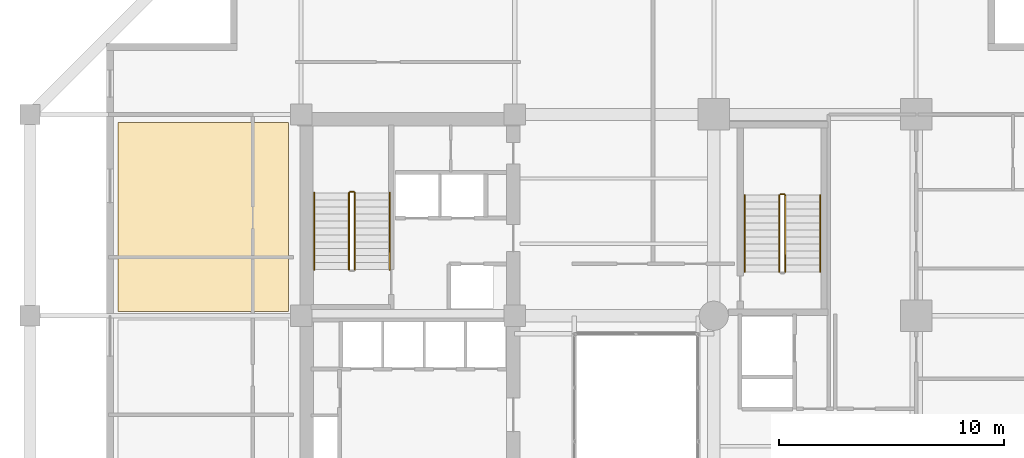
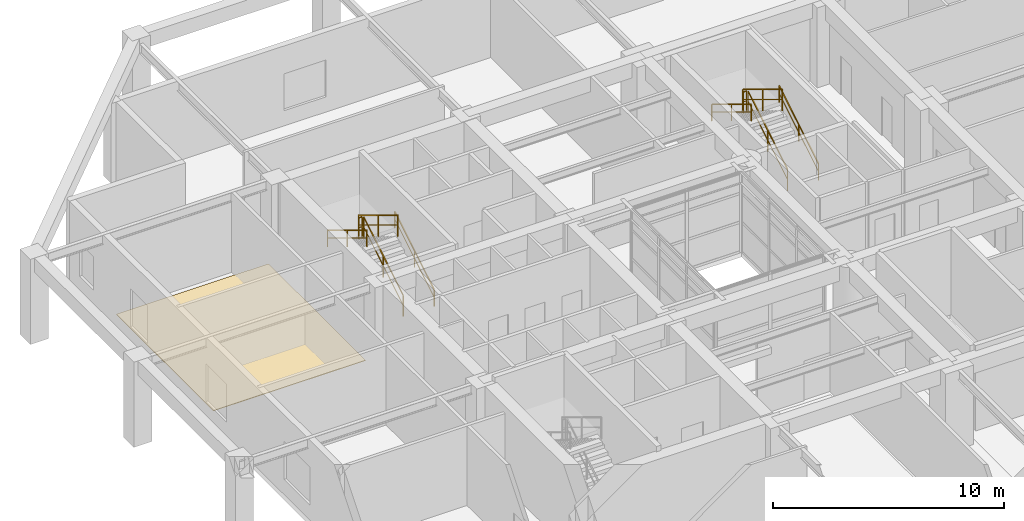
# One storey, part 13 of 13: 10 railings, 1 covering.
"""IFC4 building model written with IfcOpenShell, lengths in metres."""

from ifc_helpers import new_model, si_unit, direction, frame, origin, origin_2d, place, context, subcontext, project, spatial, polyline, rectangle, outline, extrude, material, layer, layer_set, type_object, element, save


model = new_model("IFC4")

# Units and contexts
model_context = context("Model", 3, precision=1e-05, world=origin(), true_north=direction((0.0, 1.0)))
body_context = subcontext(model_context, "Body", "Model", "MODEL_VIEW")
ifc_project = project(units=[si_unit("LENGTHUNIT", "METRE"), si_unit("AREAUNIT", "SQUARE_METRE"), si_unit("VOLUMEUNIT", "CUBIC_METRE"), si_unit("PLANEANGLEUNIT", "RADIAN"), si_unit("MASSUNIT", "GRAM", prefix="KILO")], contexts=[model_context])

# Site, building, storey
site_placement = place(None, origin())
site = spatial("IfcSite", under=ifc_project, at=site_placement, CompositionType="ELEMENT")
building_placement = place(site_placement, origin())
building = spatial("IfcBuilding", under=site, at=building_placement, Name="Kundavana Baori Tower", CompositionType="ELEMENT")
storey_placement = place(building_placement, frame((0.0, 0.0, 21.5)))
storey = spatial("IfcBuildingStorey", under=building, at=storey_placement, Name="L04", CompositionType="ELEMENT", Elevation=21.5)

# Covering
ifc_material_1 = material(Name="Honed Kota Stone and Terrazzo Flooring", Category="masonry")
ifc_layer = layer(ifc_material_1, 0.030029296875, Name="COV-INT-FLR")
ifc_layer_set = layer_set([ifc_layer], Name="Honed Kota Stone and Terrazzo Flooring")
covering_type = type_object("IfcCoveringType", Name="COV-INT-FLR", PredefinedType="FLOORING", material=ifc_layer_set)
covering_placement = place(storey_placement, origin())
element("IfcCovering", 1, at=covering_placement, inside=storey, type_object=covering_type, Name="L04 Room Finished Stone Flooring 3", PredefinedType="FLOORING", context=body_context, shape_type="SweptSolid", body=[
    extrude(outline(polyline([(7.300048828125, 33.199951171875), (14.89990234375, 33.199951171875), (14.89990234375, 41.60009765625), (7.300048828125, 41.60009765625), (7.300048828125, 33.199951171875)])), origin(), (0.0, 0.0, 1.0), 0.030029296875),
])

# Railings
ifc_material_2 = material(Name="Architectural Patinated Bronze Metalwork")
railing_type_1 = type_object("IfcRailingType", Name="RL-GRD-1150", PredefinedType="GUARDRAIL", material=ifc_material_2)
railing_1_placement = place(storey_placement, frame((17.840087890625, 35.050048828125, 0.1875)))
element("IfcRailing", 2, at=railing_1_placement, inside=storey, type_object=railing_type_1, Name="L04 ST2 stair guard 1", PredefinedType="GUARDRAIL", context=body_context, shape_type="SweptSolid", body=[
    extrude(rectangle(XDim=0.048095703125, YDim=0.048095703125, at=origin_2d()), frame((0.0, 0.0, 1.1259765625), z_axis=(0.0, 0.855655013707, 0.517546613861), x_axis=(-1.0, 0.0, 0.0)), (0.0, 0.0, 1.0), 3.985107421875),
    extrude(rectangle(XDim=0.03125, YDim=0.03125, at=origin_2d()), frame((0.0, 0.0, 0.597900390625), z_axis=(0.0, 0.855655013707, 0.517546613861), x_axis=(-1.0, 0.0, 0.0)), (0.0, 0.0, 1.0), 3.985107421875),
    extrude(rectangle(XDim=0.0419921875, YDim=0.0419921875, at=origin_2d()), origin(), (0.0, 0.0, 1.0), 1.101806640625),
    extrude(rectangle(XDim=0.0419921875, YDim=0.0419921875, at=origin_2d()), frame((0.0, 1.705078125, 1.03125)), (0.0, 0.0, 1.0), 1.101806640625),
    extrude(rectangle(XDim=0.0419921875, YDim=0.0419921875, at=origin_2d()), frame((0.0, 3.409912109375, 2.0625)), (0.0, 0.0, 1.0), 1.101806640625),
])
railing_2_placement = place(storey_placement, frame((17.7900390625, 38.510009765625, 2.25)))
element("IfcRailing", 3, at=railing_2_placement, inside=storey, type_object=railing_type_1, Name="L04 ST2 stair guard 2", PredefinedType="GUARDRAIL", context=body_context, shape_type="SweptSolid", body=[
    extrude(rectangle(XDim=0.048095703125, YDim=0.048095703125, at=origin_2d()), frame((0.0, 0.0, 1.1259765625), z_axis=(-1.0, 0.0, 0.0), x_axis=(0.0, -1.0, 0.0)), (0.0, 0.0, 1.0), 0.16015625),
    extrude(rectangle(XDim=0.03125, YDim=0.03125, at=origin_2d()), frame((0.0, 0.0, 0.597900390625), z_axis=(-1.0, 0.0, 0.0), x_axis=(0.0, -1.0, 0.0)), (0.0, 0.0, 1.0), 0.16015625),
    extrude(rectangle(XDim=0.0419921875, YDim=0.0419921875, at=origin_2d()), origin(), (0.0, 0.0, 1.0), 1.101806640625),
    extrude(rectangle(XDim=0.0419921875, YDim=0.0419921875, at=origin_2d()), frame((-0.16015625, 0.0, 0.0)), (0.0, 0.0, 1.0), 1.101806640625),
])
railing_3_placement = place(storey_placement, frame((17.580078125, 38.4599609375, 2.4375)))
element("IfcRailing", 4, at=railing_3_placement, inside=storey, type_object=railing_type_1, Name="L04 ST2 stair guard 3", PredefinedType="GUARDRAIL", context=body_context, shape_type="SweptSolid", body=[
    extrude(rectangle(XDim=0.048095703125, YDim=0.048095703125, at=origin_2d()), frame((0.0, 0.0, 1.1259765625), z_axis=(0.0, -0.855655013707, 0.517546613861), x_axis=(1.0, 0.0, 0.0)), (0.0, 0.0, 1.0), 3.985107421875),
    extrude(rectangle(XDim=0.03125, YDim=0.03125, at=origin_2d()), frame((0.0, 0.0, 0.597900390625), z_axis=(0.0, -0.855655013707, 0.517546613861), x_axis=(1.0, 0.0, 0.0)), (0.0, 0.0, 1.0), 3.985107421875),
    extrude(rectangle(XDim=0.0419921875, YDim=0.0419921875, at=origin_2d()), origin(), (0.0, 0.0, 1.0), 1.101806640625),
    extrude(rectangle(XDim=0.0419921875, YDim=0.0419921875, at=origin_2d()), frame((0.0, -1.705078125, 1.03125)), (0.0, 0.0, 1.0), 1.101806640625),
    extrude(rectangle(XDim=0.0419921875, YDim=0.0419921875, at=origin_2d()), frame((0.0, -3.409912109375, 2.0625)), (0.0, 0.0, 1.0), 1.101806640625),
])
railing_4_placement = place(storey_placement, frame((36.97998046875, 34.949951171875, 0.1875)))
element("IfcRailing", 5, at=railing_4_placement, inside=storey, type_object=railing_type_1, Name="L04 ST3 stair guard 1", PredefinedType="GUARDRAIL", context=body_context, shape_type="SweptSolid", body=[
    extrude(rectangle(XDim=0.048095703125, YDim=0.048095703125, at=origin_2d()), frame((0.0, 0.0, 1.1259765625), z_axis=(0.0, 0.855671421885, 0.517519485401), x_axis=(-1.0, 0.0, 0.0)), (0.0, 0.0, 1.0), 3.9853515625),
    extrude(rectangle(XDim=0.03125, YDim=0.03125, at=origin_2d()), frame((0.0, 0.0, 0.597900390625), z_axis=(0.0, 0.855671421885, 0.517519485401), x_axis=(-1.0, 0.0, 0.0)), (0.0, 0.0, 1.0), 3.9853515625),
    extrude(rectangle(XDim=0.0419921875, YDim=0.0419921875, at=origin_2d()), origin(), (0.0, 0.0, 1.0), 1.101806640625),
    extrude(rectangle(XDim=0.0419921875, YDim=0.0419921875, at=origin_2d()), frame((0.0, 1.705078125, 1.03125)), (0.0, 0.0, 1.0), 1.101806640625),
    extrude(rectangle(XDim=0.0419921875, YDim=0.0419921875, at=origin_2d()), frame((0.0, 3.41015625, 2.0625)), (0.0, 0.0, 1.0), 1.101806640625),
])
railing_5_placement = place(storey_placement, frame((36.929931640625, 38.409912109375, 2.25)))
element("IfcRailing", 6, at=railing_5_placement, inside=storey, type_object=railing_type_1, Name="L04 ST3 stair guard 2", PredefinedType="GUARDRAIL", context=body_context, shape_type="SweptSolid", body=[
    extrude(rectangle(XDim=0.048095703125, YDim=0.048095703125, at=origin_2d()), frame((0.0, 0.0, 1.1259765625), z_axis=(-1.0, 0.0, 0.0), x_axis=(0.0, -1.0, 0.0)), (0.0, 0.0, 1.0), 0.159912109375),
    extrude(rectangle(XDim=0.03125, YDim=0.03125, at=origin_2d()), frame((0.0, 0.0, 0.597900390625), z_axis=(-1.0, 0.0, 0.0), x_axis=(0.0, -1.0, 0.0)), (0.0, 0.0, 1.0), 0.159912109375),
    extrude(rectangle(XDim=0.0419921875, YDim=0.0419921875, at=origin_2d()), origin(), (0.0, 0.0, 1.0), 1.101806640625),
    extrude(rectangle(XDim=0.0419921875, YDim=0.0419921875, at=origin_2d()), frame((-0.159912109375, 0.0, 0.0)), (0.0, 0.0, 1.0), 1.101806640625),
])
railing_6_placement = place(storey_placement, frame((36.719970703125, 38.360107421875, 2.4375)))
element("IfcRailing", 7, at=railing_6_placement, inside=storey, type_object=railing_type_1, Name="L04 ST3 stair guard 3", PredefinedType="GUARDRAIL", context=body_context, shape_type="SweptSolid", body=[
    extrude(rectangle(XDim=0.048095703125, YDim=0.048095703125, at=origin_2d()), frame((0.0, 0.0, 1.1259765625), z_axis=(0.0, -0.855671421885, 0.517519485401), x_axis=(1.0, 0.0, 0.0)), (0.0, 0.0, 1.0), 3.9853515625),
    extrude(rectangle(XDim=0.03125, YDim=0.03125, at=origin_2d()), frame((0.0, 0.0, 0.597900390625), z_axis=(0.0, -0.855671421885, 0.517519485401), x_axis=(1.0, 0.0, 0.0)), (0.0, 0.0, 1.0), 3.9853515625),
    extrude(rectangle(XDim=0.0419921875, YDim=0.0419921875, at=origin_2d()), origin(), (0.0, 0.0, 1.0), 1.101806640625),
    extrude(rectangle(XDim=0.0419921875, YDim=0.0419921875, at=origin_2d()), frame((0.0, -1.705078125, 1.03125)), (0.0, 0.0, 1.0), 1.101806640625),
    extrude(rectangle(XDim=0.0419921875, YDim=0.0419921875, at=origin_2d()), frame((0.0, -3.41015625, 2.0625)), (0.0, 0.0, 1.0), 1.101806640625),
])
ifc_material_3 = material(Name="Architectural Patinated Bronze Metalwork")
railing_type_2 = type_object("IfcRailingType", Name="RL-HND-920", PredefinedType="HANDRAIL", material=ifc_material_3)
railing_7_placement = place(storey_placement, frame((19.389892578125, 35.050048828125, 0.1875)))
element("IfcRailing", 8, at=railing_7_placement, inside=storey, type_object=railing_type_2, Name="L04 ST2 stair handrail 1", PredefinedType="HANDRAIL", context=body_context, shape_type="SweptSolid", body=[
    extrude(rectangle(XDim=0.048095703125, YDim=0.048095703125, at=origin_2d()), frame((0.0, 0.0, 0.8759765625), z_axis=(0.0, 0.855655013707, 0.517546613861), x_axis=(-1.0, 0.0, 0.0)), (0.0, 0.0, 1.0), 3.985107421875),
    extrude(rectangle(XDim=0.03125, YDim=0.03125, at=origin_2d()), frame((0.0, 0.0, 0.468017578125), z_axis=(0.0, 0.855655013707, 0.517546613861), x_axis=(-1.0, 0.0, 0.0)), (0.0, 0.0, 1.0), 3.985107421875),
    extrude(rectangle(XDim=0.0419921875, YDim=0.0419921875, at=origin_2d()), origin(), (0.0, 0.0, 1.0), 0.851806640625),
    extrude(rectangle(XDim=0.0419921875, YDim=0.0419921875, at=origin_2d()), frame((0.0, 1.705078125, 1.03125)), (0.0, 0.0, 1.0), 0.851806640625),
    extrude(rectangle(XDim=0.0419921875, YDim=0.0419921875, at=origin_2d()), frame((0.0, 3.409912109375, 2.0625)), (0.0, 0.0, 1.0), 0.851806640625),
])
railing_8_placement = place(storey_placement, frame((16.030029296875, 38.4599609375, 2.4375)))
element("IfcRailing", 9, at=railing_8_placement, inside=storey, type_object=railing_type_2, Name="L04 ST2 stair handrail 2", PredefinedType="HANDRAIL", context=body_context, shape_type="SweptSolid", body=[
    extrude(rectangle(XDim=0.048095703125, YDim=0.048095703125, at=origin_2d()), frame((0.0, 0.0, 0.8759765625), z_axis=(0.0, -0.855655013707, 0.517546613861), x_axis=(1.0, 0.0, 0.0)), (0.0, 0.0, 1.0), 3.985107421875),
    extrude(rectangle(XDim=0.03125, YDim=0.03125, at=origin_2d()), frame((0.0, 0.0, 0.468017578125), z_axis=(0.0, -0.855655013707, 0.517546613861), x_axis=(1.0, 0.0, 0.0)), (0.0, 0.0, 1.0), 3.985107421875),
    extrude(rectangle(XDim=0.0419921875, YDim=0.0419921875, at=origin_2d()), origin(), (0.0, 0.0, 1.0), 0.851806640625),
    extrude(rectangle(XDim=0.0419921875, YDim=0.0419921875, at=origin_2d()), frame((0.0, -1.705078125, 1.03125)), (0.0, 0.0, 1.0), 0.851806640625),
    extrude(rectangle(XDim=0.0419921875, YDim=0.0419921875, at=origin_2d()), frame((0.0, -3.409912109375, 2.0625)), (0.0, 0.0, 1.0), 0.851806640625),
])
railing_9_placement = place(storey_placement, frame((38.530029296875, 34.949951171875, 0.1875)))
element("IfcRailing", 10, at=railing_9_placement, inside=storey, type_object=railing_type_2, Name="L04 ST3 stair handrail 1", PredefinedType="HANDRAIL", context=body_context, shape_type="SweptSolid", body=[
    extrude(rectangle(XDim=0.048095703125, YDim=0.048095703125, at=origin_2d()), frame((0.0, 0.0, 0.8759765625), z_axis=(0.0, 0.855671421885, 0.517519485401), x_axis=(-1.0, 0.0, 0.0)), (0.0, 0.0, 1.0), 3.9853515625),
    extrude(rectangle(XDim=0.03125, YDim=0.03125, at=origin_2d()), frame((0.0, 0.0, 0.468017578125), z_axis=(0.0, 0.855671421885, 0.517519485401), x_axis=(-1.0, 0.0, 0.0)), (0.0, 0.0, 1.0), 3.9853515625),
    extrude(rectangle(XDim=0.0419921875, YDim=0.0419921875, at=origin_2d()), origin(), (0.0, 0.0, 1.0), 0.851806640625),
    extrude(rectangle(XDim=0.0419921875, YDim=0.0419921875, at=origin_2d()), frame((0.0, 1.705078125, 1.03125)), (0.0, 0.0, 1.0), 0.851806640625),
    extrude(rectangle(XDim=0.0419921875, YDim=0.0419921875, at=origin_2d()), frame((0.0, 3.41015625, 2.0625)), (0.0, 0.0, 1.0), 0.851806640625),
])
railing_10_placement = place(storey_placement, frame((35.169921875, 38.360107421875, 2.4375)))
element("IfcRailing", 11, at=railing_10_placement, inside=storey, type_object=railing_type_2, Name="L04 ST3 stair handrail 2", PredefinedType="HANDRAIL", context=body_context, shape_type="SweptSolid", body=[
    extrude(rectangle(XDim=0.048095703125, YDim=0.048095703125, at=origin_2d()), frame((0.0, 0.0, 0.8759765625), z_axis=(0.0, -0.855671421885, 0.517519485401), x_axis=(1.0, 0.0, 0.0)), (0.0, 0.0, 1.0), 3.9853515625),
    extrude(rectangle(XDim=0.03125, YDim=0.03125, at=origin_2d()), frame((0.0, 0.0, 0.468017578125), z_axis=(0.0, -0.855671421885, 0.517519485401), x_axis=(1.0, 0.0, 0.0)), (0.0, 0.0, 1.0), 3.9853515625),
    extrude(rectangle(XDim=0.0419921875, YDim=0.0419921875, at=origin_2d()), origin(), (0.0, 0.0, 1.0), 0.851806640625),
    extrude(rectangle(XDim=0.0419921875, YDim=0.0419921875, at=origin_2d()), frame((0.0, -1.705078125, 1.03125)), (0.0, 0.0, 1.0), 0.851806640625),
    extrude(rectangle(XDim=0.0419921875, YDim=0.0419921875, at=origin_2d()), frame((0.0, -3.41015625, 2.0625)), (0.0, 0.0, 1.0), 0.851806640625),
])

save(model, "model.ifc")
